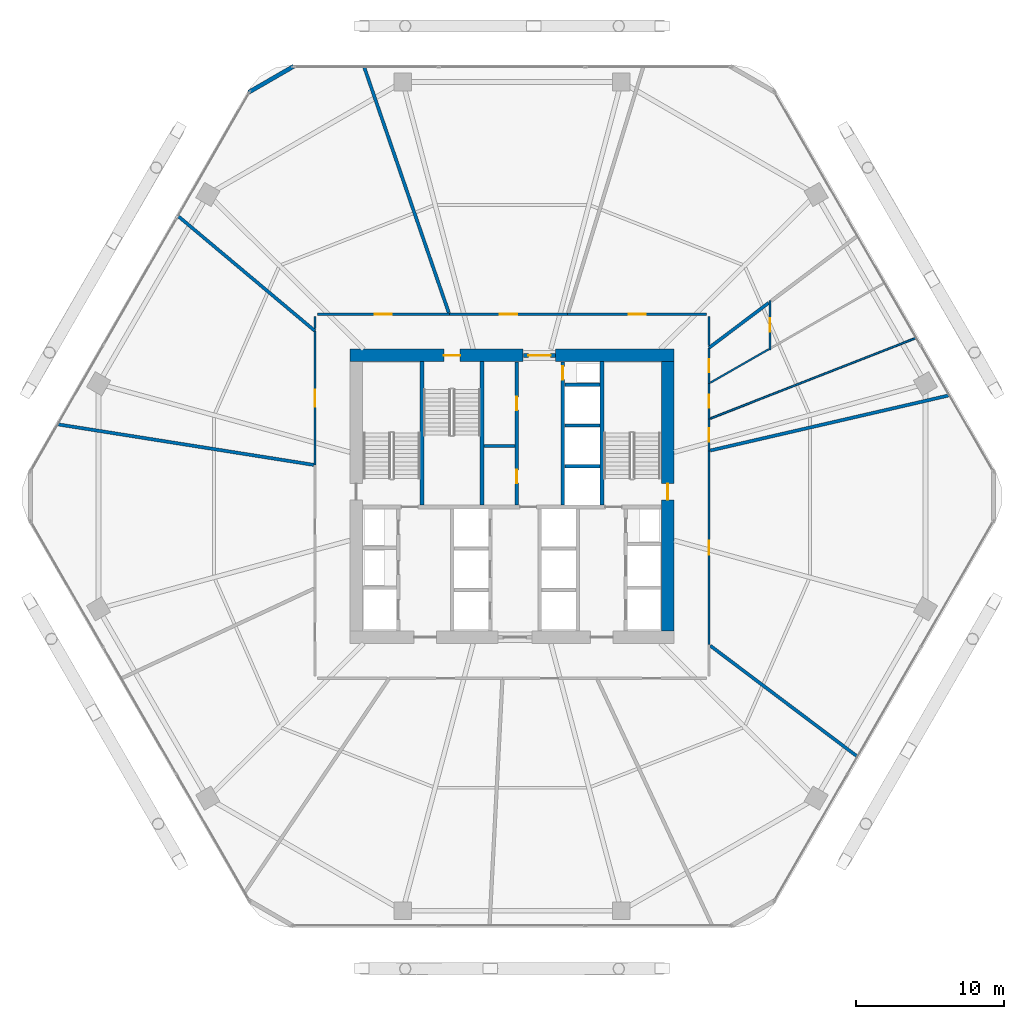
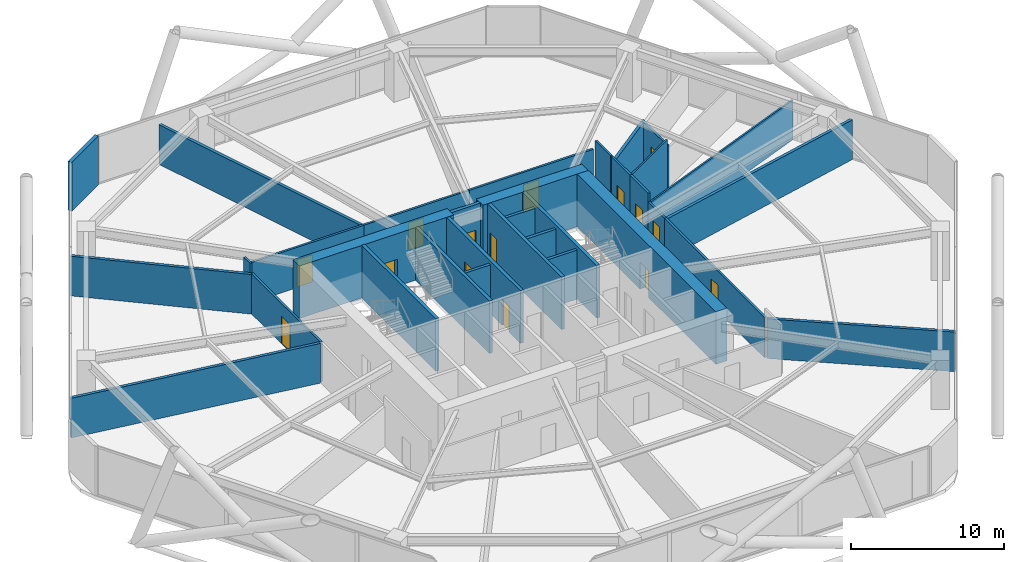
# One storey, part 27 of 29: 33 walls, 15 doors, 15 openings.
"""IFC4 building model written with IfcOpenShell, lengths in metres."""

from ifc_helpers import new_model, si_unit, direction, frame, frame_2d, origin, place, context, subcontext, project, spatial, rectangle, extrude, material, layer, layer_set, type_object, element, fill, save


model = new_model("IFC4")

# Units and contexts
model_context = context("Model", 3, precision=1e-05, world=origin(), true_north=direction((0.0, 1.0)))
body_context = subcontext(model_context, "Body", "Model", "MODEL_VIEW")
ifc_project = project(units=[si_unit("LENGTHUNIT", "METRE"), si_unit("AREAUNIT", "SQUARE_METRE"), si_unit("VOLUMEUNIT", "CUBIC_METRE"), si_unit("PLANEANGLEUNIT", "RADIAN"), si_unit("MASSUNIT", "GRAM", prefix="KILO")], contexts=[model_context])

# Site, building, storey
site_placement = place(None, origin())
site = spatial("IfcSite", under=ifc_project, at=site_placement, CompositionType="ELEMENT")
building_placement = place(site_placement, origin())
building = spatial("IfcBuilding", under=site, at=building_placement, Name="Zuhravey Tower", CompositionType="ELEMENT")
storey_placement = place(building_placement, frame((0.0, 0.0, 41.39990234375)))
storey = spatial("IfcBuildingStorey", under=building, at=storey_placement, Name="L10", CompositionType="ELEMENT", Elevation=41.39990234375)

# Wall
ifc_material_1 = material(Name="Concrete C60/75", Category="concrete")
ifc_layer_1 = layer(ifc_material_1, 0.85009765625)
ifc_layer_set_1 = layer_set([ifc_layer_1], Name="Concrete C60/75")
wall_type_1 = type_object("IfcWallType", Name="Core Shear Wall 850", PredefinedType="SHEAR", material=ifc_layer_set_1)
wall_1_placement = place(storey_placement, frame((46.925048828125, 41.5, 0.0), z_axis=(0.0, 0.0, 1.0), x_axis=(-1.0, 0.0, 0.0)))
element("IfcWall", 1, at=wall_1_placement, inside=storey, type_object=wall_type_1, Name="L10 North-East Core Shear Wall CW85", PredefinedType="SHEAR", context=body_context, shape_type="SweptSolid", body=[
    extrude(rectangle(XDim=7.97509765625, YDim=0.85009765625, at=frame_2d((3.987548828125, 0.0))), origin(), (0.0, 0.0, 1.0), 4.2001953125),
])

# Wall, opening, door
wall_2_placement = place(storey_placement, frame((36.75, 41.5, 0.0), z_axis=(0.0, 0.0, 1.0), x_axis=(-1.0, 0.0, 0.0)))
wall_2 = element("IfcWall", 2, at=wall_2_placement, inside=storey, type_object=wall_type_1, Name="L10 North-West Core Shear Wall CW85", PredefinedType="SHEAR", context=body_context, shape_type="SweptSolid", body=[
    extrude(rectangle(XDim=11.675048828125, YDim=0.85009765625, at=frame_2d((5.83740234375, 0.0))), origin(), (0.0, 0.0, 1.0), 4.2001953125),
])
opening_1_placement = place(wall_2_placement, frame((4.25, 0.0, 0.0)))
opening_1 = element("IfcOpeningElement", 3, at=opening_1_placement, cuts=wall_2, Name="Opening STD1", PredefinedType="OPENING", context=body_context, shape_type="SweptSolid", body=[
    extrude(rectangle(XDim=1.10009765625, YDim=2.14990234375, at=frame_2d((0.550048828125, 1.074951171875))), frame((0.0, 0.43701171875, 0.0), z_axis=(0.0, -1.0, 0.0), x_axis=(1.0, 0.0, 0.0)), (0.0, 0.0, 1.0), 0.8740234375),
])
ifc_material_2 = material(Name="Galvanised fire-rated steel leaf", Category="steel")
door_type_1 = type_object("IfcDoorType", Name="Protected Stair Fire Door 1100x2150", OperationType="NOTDEFINED", PredefinedType="USERDEFINED", material=ifc_material_2)
door_1_placement = place(opening_1_placement, origin())
door_1 = element("IfcDoor", 4, at=door_1_placement, inside=storey, type_object=door_type_1, Name="L10 Stair ST3 Door", ObjectType="EXITDOOR", OperationType="SINGLE_SWING_LEFT", OverallHeight=2.14990234375, OverallWidth=1.10009765625, PredefinedType="USERDEFINED", context=body_context, shape_type="SweptSolid", body=[
    extrude(rectangle(XDim=1.10009765625, YDim=2.14990234375, at=frame_2d((0.550048828125, 1.074951171875))), frame((0.0, 0.02490234375, 0.0), z_axis=(0.0, -1.0, 0.0), x_axis=(1.0, 0.0, 0.0)), (0.0, 0.0, 1.0), 0.050048828125),
])
fill(opening_1, door_1)

wall_3_placement = place(storey_placement, frame((46.5, 22.925048828125, 0.0), z_axis=(0.0, 0.0, 1.0), x_axis=(0.0, 1.0, 0.0)))
wall_3 = element("IfcWall", 5, at=wall_3_placement, inside=storey, type_object=wall_type_1, Name="L10 East Core Shear Wall CW85", PredefinedType="SHEAR", context=body_context, shape_type="SweptSolid", body=[
    extrude(rectangle(XDim=18.14990234375, YDim=0.85009765625, at=frame_2d((9.074951171875, 0.0))), origin(), (0.0, 0.0, 1.0), 4.2001953125),
])
opening_2_placement = place(wall_3_placement, frame((8.824951171875, 0.0, 0.0)))
opening_2 = element("IfcOpeningElement", 6, at=opening_2_placement, cuts=wall_3, Name="Opening STD1", PredefinedType="OPENING", context=body_context, shape_type="SweptSolid", body=[
    extrude(rectangle(XDim=1.10009765625, YDim=2.14990234375, at=frame_2d((0.550048828125, 1.074951171875))), frame((0.0, 0.43701171875, 0.0), z_axis=(0.0, -1.0, 0.0), x_axis=(1.0, 0.0, 0.0)), (0.0, 0.0, 1.0), 0.8740234375),
])
door_2_placement = place(opening_2_placement, origin())
door_2 = element("IfcDoor", 7, at=door_2_placement, inside=storey, type_object=door_type_1, Name="L10 Stair ST2 Door", ObjectType="EXITDOOR", OperationType="SINGLE_SWING_RIGHT", OverallHeight=2.14990234375, OverallWidth=1.10009765625, PredefinedType="USERDEFINED", context=body_context, shape_type="SweptSolid", body=[
    extrude(rectangle(XDim=1.10009765625, YDim=2.14990234375, at=frame_2d((0.550048828125, 1.074951171875))), frame((0.0, 0.02490234375, 0.0), z_axis=(0.0, -1.0, 0.0), x_axis=(1.0, 0.0, 0.0)), (0.0, 0.0, 1.0), 0.050048828125),
])
fill(opening_2, door_2)

ifc_material_3 = material(Name="Gypsum fire-rated stud partition")
ifc_layer_2 = layer(ifc_material_3, 0.159912109375)
ifc_layer_set_2 = layer_set([ifc_layer_2], Name="Gypsum fire-rated stud partition")
wall_type_2 = type_object("IfcWallType", Name="Corridor Fire Partition 160", PredefinedType="PARTITIONING", material=ifc_layer_set_2)
wall_4_placement = place(storey_placement, frame((49.284912109375, 35.067138671875, 0.0), z_axis=(0.0, 0.0, 1.0), x_axis=(0.0, 1.0, 0.0)))
wall_4 = element("IfcWall", 8, at=wall_4_placement, inside=storey, type_object=wall_type_2, Name="L10 IW16 Partition 019", PredefinedType="PARTITIONING", context=body_context, shape_type="SweptSolid", body=[
    extrude(rectangle(XDim=2.13916015625, YDim=0.159912109375, at=frame_2d((1.069580078125, 0.0))), origin(), (0.0, 0.0, 1.0), 3.22021484375),
])
opening_3_placement = place(wall_4_placement, frame((0.61962890625, 0.0, 0.0)))
opening_3 = element("IfcOpeningElement", 9, at=opening_3_placement, cuts=wall_4, Name="Opening RSD1", PredefinedType="OPENING", context=body_context, shape_type="SweptSolid", body=[
    extrude(rectangle(XDim=0.89990234375, YDim=2.10009765625, at=frame_2d((0.449951171875, 1.050048828125))), frame((0.0, 0.092041015625, 0.0), z_axis=(0.0, -1.0, 0.0), x_axis=(1.0, 0.0, 0.0)), (0.0, 0.0, 1.0), 0.183837890625),
])
ifc_material_4 = material(Name="Galvanised fire-rated steel access leaf", Category="steel")
door_type_2 = type_object("IfcDoorType", Name="Riser & Shaft Access Fire Door 900x2100", OperationType="NOTDEFINED", PredefinedType="DOOR", material=ifc_material_4)
door_3_placement = place(opening_3_placement, frame((0.89990234375, 0.0, 0.0), z_axis=(0.0, 0.0, 1.0), x_axis=(-1.0, 0.0, 0.0)))
door_3 = element("IfcDoor", 10, at=door_3_placement, inside=storey, type_object=door_type_2, Name="L10 Door 019.1", OperationType="SINGLE_SWING_LEFT", OverallHeight=2.10009765625, OverallWidth=0.89990234375, PredefinedType="DOOR", context=body_context, shape_type="SweptSolid", body=[
    extrude(rectangle(XDim=0.89990234375, YDim=2.10009765625, at=frame_2d((0.449951171875, 1.050048828125))), frame((0.0, 0.02490234375, 0.0), z_axis=(0.0, -1.0, 0.0), x_axis=(1.0, 0.0, 0.0)), (0.0, 0.0, 1.0), 0.050048828125),
])
fill(opening_3, door_3)

wall_5_placement = place(storey_placement, frame((49.284912109375, 37.206298828125, 0.0), z_axis=(0.0, 0.0, 1.0), x_axis=(0.0, 1.0, 0.0)))
wall_5 = element("IfcWall", 11, at=wall_5_placement, inside=storey, type_object=wall_type_2, Name="L10 IW16 Partition 020", PredefinedType="PARTITIONING", context=body_context, shape_type="SweptSolid", body=[
    extrude(rectangle(XDim=2.402099609375, YDim=0.159912109375, at=frame_2d((1.201171875, 0.0))), origin(), (0.0, 0.0, 1.0), 3.920166015625),
])
opening_4_placement = place(wall_5_placement, frame((0.751220703125, 0.0, 0.0)))
opening_4 = element("IfcOpeningElement", 12, at=opening_4_placement, cuts=wall_5, Name="Opening RSD1", PredefinedType="OPENING", context=body_context, shape_type="SweptSolid", body=[
    extrude(rectangle(XDim=0.89990234375, YDim=2.10009765625, at=frame_2d((0.449951171875, 1.050048828125))), frame((0.0, 0.092041015625, 0.0), z_axis=(0.0, -1.0, 0.0), x_axis=(1.0, 0.0, 0.0)), (0.0, 0.0, 1.0), 0.183837890625),
])
door_4_placement = place(opening_4_placement, frame((0.89990234375, 0.0, 0.0), z_axis=(0.0, 0.0, 1.0), x_axis=(-1.0, 0.0, 0.0)))
door_4 = element("IfcDoor", 13, at=door_4_placement, inside=storey, type_object=door_type_2, Name="L10 Door 020.1", OperationType="SINGLE_SWING_RIGHT", OverallHeight=2.10009765625, OverallWidth=0.89990234375, PredefinedType="DOOR", context=body_context, shape_type="SweptSolid", body=[
    extrude(rectangle(XDim=0.89990234375, YDim=2.10009765625, at=frame_2d((0.449951171875, 1.050048828125))), frame((0.0, 0.02490234375, 0.0), z_axis=(0.0, -1.0, 0.0), x_axis=(1.0, 0.0, 0.0)), (0.0, 0.0, 1.0), 0.050048828125),
])
fill(opening_4, door_4)

wall_6_placement = place(storey_placement, frame((53.405029296875, 45.2158203125, 0.0), z_axis=(0.0, 0.0, 1.0), x_axis=(0.0, -1.0, 0.0)))
wall_6 = element("IfcWall", 14, at=wall_6_placement, inside=storey, type_object=wall_type_2, Name="L10 IW16 Partition 021", PredefinedType="PARTITIONING", context=body_context, shape_type="SweptSolid", body=[
    extrude(rectangle(XDim=3.340087890625, YDim=0.159912109375, at=frame_2d((1.669921875, 0.0))), origin(), (0.0, 0.0, 1.0), 3.47021484375),
])
opening_5_placement = place(wall_6_placement, frame((1.219970703125, 0.0, 0.0)))
opening_5 = element("IfcOpeningElement", 15, at=opening_5_placement, cuts=wall_6, Name="Opening RSD1", PredefinedType="OPENING", context=body_context, shape_type="SweptSolid", body=[
    extrude(rectangle(XDim=0.89990234375, YDim=2.10009765625, at=frame_2d((0.449951171875, 1.050048828125))), frame((0.0, 0.092041015625, 0.0), z_axis=(0.0, -1.0, 0.0), x_axis=(1.0, 0.0, 0.0)), (0.0, 0.0, 1.0), 0.183837890625),
])
door_5_placement = place(opening_5_placement, origin())
door_5 = element("IfcDoor", 16, at=door_5_placement, inside=storey, type_object=door_type_2, Name="L10 Door 021.1", OperationType="SINGLE_SWING_LEFT", OverallHeight=2.10009765625, OverallWidth=0.89990234375, PredefinedType="DOOR", context=body_context, shape_type="SweptSolid", body=[
    extrude(rectangle(XDim=0.89990234375, YDim=2.10009765625, at=frame_2d((0.449951171875, 1.050048828125))), frame((0.0, 0.02490234375, 0.0), z_axis=(0.0, -1.0, 0.0), x_axis=(1.0, 0.0, 0.0)), (0.0, 0.0, 1.0), 0.050048828125),
])
fill(opening_5, door_5)

wall_7_placement = place(storey_placement, frame((49.284912109375, 39.6083984375, 0.0), z_axis=(0.0, 0.0, 1.0), x_axis=(0.0, 1.0, 0.0)))
wall_7 = element("IfcWall", 17, at=wall_7_placement, inside=storey, type_object=wall_type_2, Name="L10 IW16 Partition 022", PredefinedType="PARTITIONING", context=body_context, shape_type="SweptSolid", body=[
    extrude(rectangle(XDim=2.402587890625, YDim=0.159912109375, at=frame_2d((1.201171875, 0.0))), origin(), (0.0, 0.0, 1.0), 3.920166015625),
])
opening_6_placement = place(wall_7_placement, frame((0.751220703125, 0.0, 0.0)))
opening_6 = element("IfcOpeningElement", 18, at=opening_6_placement, cuts=wall_7, Name="Opening RSD1", PredefinedType="OPENING", context=body_context, shape_type="SweptSolid", body=[
    extrude(rectangle(XDim=0.89990234375, YDim=2.10009765625, at=frame_2d((0.449951171875, 1.050048828125))), frame((0.0, 0.092041015625, 0.0), z_axis=(0.0, -1.0, 0.0), x_axis=(1.0, 0.0, 0.0)), (0.0, 0.0, 1.0), 0.183837890625),
])
door_6_placement = place(opening_6_placement, frame((0.89990234375, 0.0, 0.0), z_axis=(0.0, 0.0, 1.0), x_axis=(-1.0, 0.0, 0.0)))
door_6 = element("IfcDoor", 19, at=door_6_placement, inside=storey, type_object=door_type_2, Name="L10 Door 022.1", OperationType="SINGLE_SWING_RIGHT", OverallHeight=2.10009765625, OverallWidth=0.89990234375, PredefinedType="DOOR", context=body_context, shape_type="SweptSolid", body=[
    extrude(rectangle(XDim=0.89990234375, YDim=2.10009765625, at=frame_2d((0.449951171875, 1.050048828125))), frame((0.0, 0.02490234375, 0.0), z_axis=(0.0, -1.0, 0.0), x_axis=(1.0, 0.0, 0.0)), (0.0, 0.0, 1.0), 0.050048828125),
])
fill(opening_6, door_6)

wall_8_placement = place(storey_placement, frame((49.125, 44.284912109375, 0.0), z_axis=(0.0, 0.0, 1.0), x_axis=(-1.0, 0.0, 0.0)))
wall_8 = element("IfcWall", 20, at=wall_8_placement, inside=storey, type_object=wall_type_2, Name="L10 IW16 Partition 023", PredefinedType="PARTITIONING", context=body_context, shape_type="SweptSolid", body=[
    extrude(rectangle(XDim=9.369140625, YDim=0.159912109375, at=frame_2d((4.6845703125, 0.0))), origin(), (0.0, 0.0, 1.0), 3.22021484375),
])
opening_7_placement = place(wall_8_placement, frame((4.109619140625, 0.0, 0.0)))
opening_7 = element("IfcOpeningElement", 21, at=opening_7_placement, cuts=wall_8, Name="Opening CLD1", PredefinedType="OPENING", context=body_context, shape_type="SweptSolid", body=[
    extrude(rectangle(XDim=1.14990234375, YDim=2.199951171875, at=frame_2d((0.574951171875, 1.10009765625))), frame((0.0, 0.092041015625, 0.0), z_axis=(0.0, -1.0, 0.0), x_axis=(1.0, 0.0, 0.0)), (0.0, 0.0, 1.0), 0.183837890625),
])
ifc_material_5 = material(Name="Acoustic timber leaf with vision lite", Category="wood")
door_type_3 = type_object("IfcDoorType", Name="Classroom Acoustic Door 1150x2200", OperationType="NOTDEFINED", PredefinedType="DOOR", material=ifc_material_5)
door_7_placement = place(opening_7_placement, frame((1.14990234375, 0.0, 0.0), z_axis=(0.0, 0.0, 1.0), x_axis=(-1.0, 0.0, 0.0)))
door_7 = element("IfcDoor", 22, at=door_7_placement, inside=storey, type_object=door_type_3, Name="L10 Door 023.1", OperationType="SINGLE_SWING_LEFT", OverallHeight=2.199951171875, OverallWidth=1.14990234375, PredefinedType="DOOR", context=body_context, shape_type="SweptSolid", body=[
    extrude(rectangle(XDim=1.14990234375, YDim=2.199951171875, at=frame_2d((0.574951171875, 1.10009765625))), frame((0.0, 0.02490234375, 0.0), z_axis=(0.0, -1.0, 0.0), x_axis=(1.0, 0.0, 0.0)), (0.0, 0.0, 1.0), 0.050048828125),
])
fill(opening_7, door_7)

wall_9_placement = place(storey_placement, frame((39.755859375, 44.284912109375, 0.0), z_axis=(0.0, 0.0, 1.0), x_axis=(-1.0, 0.0, 0.0)))
wall_9 = element("IfcWall", 23, at=wall_9_placement, inside=storey, type_object=wall_type_2, Name="L10 IW16 Partition 024", PredefinedType="PARTITIONING", context=body_context, shape_type="SweptSolid", body=[
    extrude(rectangle(XDim=7.98583984375, YDim=0.159912109375, at=frame_2d((3.992919921875, 0.0))), origin(), (0.0, 0.0, 1.0), 3.22021484375),
])
opening_8_placement = place(wall_9_placement, frame((3.41796875, 0.0, 0.0)))
opening_8 = element("IfcOpeningElement", 24, at=opening_8_placement, cuts=wall_9, Name="Opening CLD1", PredefinedType="OPENING", context=body_context, shape_type="SweptSolid", body=[
    extrude(rectangle(XDim=1.14990234375, YDim=2.199951171875, at=frame_2d((0.574951171875, 1.10009765625))), frame((0.0, 0.092041015625, 0.0), z_axis=(0.0, -1.0, 0.0), x_axis=(1.0, 0.0, 0.0)), (0.0, 0.0, 1.0), 0.183837890625),
])
door_8_placement = place(opening_8_placement, frame((1.14990234375, 0.0, 0.0), z_axis=(0.0, 0.0, 1.0), x_axis=(-1.0, 0.0, 0.0)))
door_8 = element("IfcDoor", 25, at=door_8_placement, inside=storey, type_object=door_type_3, Name="L10 Door 024.1", OperationType="SINGLE_SWING_RIGHT", OverallHeight=2.199951171875, OverallWidth=1.14990234375, PredefinedType="DOOR", context=body_context, shape_type="SweptSolid", body=[
    extrude(rectangle(XDim=1.14990234375, YDim=2.199951171875, at=frame_2d((0.574951171875, 1.10009765625))), frame((0.0, 0.02490234375, 0.0), z_axis=(0.0, -1.0, 0.0), x_axis=(1.0, 0.0, 0.0)), (0.0, 0.0, 1.0), 0.050048828125),
])
fill(opening_8, door_8)

wall_10_placement = place(storey_placement, frame((31.77001953125, 44.284912109375, 0.0), z_axis=(0.0, 0.0, 1.0), x_axis=(-1.0, 0.0, 0.0)))
wall_10 = element("IfcWall", 26, at=wall_10_placement, inside=storey, type_object=wall_type_2, Name="L10 IW16 Partition 025", PredefinedType="PARTITIONING", context=body_context, shape_type="SweptSolid", body=[
    extrude(rectangle(XDim=8.89501953125, YDim=0.159912109375, at=frame_2d((4.447509765625, 0.0))), origin(), (0.0, 0.0, 1.0), 3.22021484375),
])
opening_9_placement = place(wall_10_placement, frame((3.872314453125, 0.0, 0.0)))
opening_9 = element("IfcOpeningElement", 27, at=opening_9_placement, cuts=wall_10, Name="Opening CLD1", PredefinedType="OPENING", context=body_context, shape_type="SweptSolid", body=[
    extrude(rectangle(XDim=1.14990234375, YDim=2.199951171875, at=frame_2d((0.574951171875, 1.10009765625))), frame((0.0, 0.092041015625, 0.0), z_axis=(0.0, -1.0, 0.0), x_axis=(1.0, 0.0, 0.0)), (0.0, 0.0, 1.0), 0.183837890625),
])
door_9_placement = place(opening_9_placement, frame((1.14990234375, 0.0, 0.0), z_axis=(0.0, 0.0, 1.0), x_axis=(-1.0, 0.0, 0.0)))
door_9 = element("IfcDoor", 28, at=door_9_placement, inside=storey, type_object=door_type_3, Name="L10 Door 025.1", OperationType="SINGLE_SWING_LEFT", OverallHeight=2.199951171875, OverallWidth=1.14990234375, PredefinedType="DOOR", context=body_context, shape_type="SweptSolid", body=[
    extrude(rectangle(XDim=1.14990234375, YDim=2.199951171875, at=frame_2d((0.574951171875, 1.10009765625))), frame((0.0, 0.02490234375, 0.0), z_axis=(0.0, -1.0, 0.0), x_axis=(1.0, 0.0, 0.0)), (0.0, 0.0, 1.0), 0.050048828125),
])
fill(opening_9, door_9)

wall_11_placement = place(storey_placement, frame((22.715087890625, 43.1474609375, 0.0), z_axis=(0.0, 0.0, 1.0), x_axis=(0.0, -1.0, 0.0)))
wall_11 = element("IfcWall", 29, at=wall_11_placement, inside=storey, type_object=wall_type_2, Name="L10 IW16 Partition 026", PredefinedType="PARTITIONING", context=body_context, shape_type="SweptSolid", body=[
    extrude(rectangle(XDim=9.04345703125, YDim=0.159912109375, at=frame_2d((4.521728515625, 0.0))), origin(), (0.0, 0.0, 1.0), 3.22021484375),
])
opening_10_placement = place(wall_11_placement, frame((3.946533203125, 0.0, 0.0)))
opening_10 = element("IfcOpeningElement", 30, at=opening_10_placement, cuts=wall_11, Name="Opening CLD1", PredefinedType="OPENING", context=body_context, shape_type="SweptSolid", body=[
    extrude(rectangle(XDim=1.14990234375, YDim=2.199951171875, at=frame_2d((0.574951171875, 1.10009765625))), frame((0.0, 0.092041015625, 0.0), z_axis=(0.0, -1.0, 0.0), x_axis=(1.0, 0.0, 0.0)), (0.0, 0.0, 1.0), 0.183837890625),
])
door_10_placement = place(opening_10_placement, frame((1.14990234375, 0.0, 0.0), z_axis=(0.0, 0.0, 1.0), x_axis=(-1.0, 0.0, 0.0)))
door_10 = element("IfcDoor", 31, at=door_10_placement, inside=storey, type_object=door_type_3, Name="L10 Door 026.1", OperationType="SINGLE_SWING_RIGHT", OverallHeight=2.199951171875, OverallWidth=1.14990234375, PredefinedType="DOOR", context=body_context, shape_type="SweptSolid", body=[
    extrude(rectangle(XDim=1.14990234375, YDim=2.199951171875, at=frame_2d((0.574951171875, 1.10009765625))), frame((0.0, 0.02490234375, 0.0), z_axis=(0.0, -1.0, 0.0), x_axis=(1.0, 0.0, 0.0)), (0.0, 0.0, 1.0), 0.050048828125),
])
fill(opening_10, door_10)

wall_12_placement = place(storey_placement, frame((49.284912109375, 21.989013671875, 0.0), z_axis=(0.0, 0.0, 1.0), x_axis=(0.0, 1.0, 0.0)))
wall_12 = element("IfcWall", 32, at=wall_12_placement, inside=storey, type_object=wall_type_2, Name="L10 IW16 Partition 032", PredefinedType="PARTITIONING", context=body_context, shape_type="SweptSolid", body=[
    extrude(rectangle(XDim=13.078125, YDim=0.159912109375, at=frame_2d((6.5390625, 0.0))), origin(), (0.0, 0.0, 1.0), 3.22021484375),
])
opening_11_placement = place(wall_12_placement, frame((6.064208984375, 0.0, 0.0)))
opening_11 = element("IfcOpeningElement", 33, at=opening_11_placement, cuts=wall_12, Name="Opening IND1", PredefinedType="OPENING", context=body_context, shape_type="SweptSolid", body=[
    extrude(rectangle(XDim=0.949951171875, YDim=2.10009765625, at=frame_2d((0.47509765625, 1.050048828125))), frame((0.0, 0.092041015625, 0.0), z_axis=(0.0, -1.0, 0.0), x_axis=(1.0, 0.0, 0.0)), (0.0, 0.0, 1.0), 0.183837890625),
])
ifc_material_6 = material(Name="Painted engineered timber leaf", Category="wood")
door_type_4 = type_object("IfcDoorType", Name="Internal Room & Bedroom Door 950x2100", OperationType="NOTDEFINED", PredefinedType="DOOR", material=ifc_material_6)
door_11_placement = place(opening_11_placement, frame((0.949951171875, 0.0, 0.0), z_axis=(0.0, 0.0, 1.0), x_axis=(-1.0, 0.0, 0.0)))
door_11 = element("IfcDoor", 34, at=door_11_placement, inside=storey, type_object=door_type_4, Name="L10 Door 032.1", OperationType="SINGLE_SWING_RIGHT", OverallHeight=2.10009765625, OverallWidth=0.949951171875, PredefinedType="DOOR", context=body_context, shape_type="SweptSolid", body=[
    extrude(rectangle(XDim=0.949951171875, YDim=2.10009765625, at=frame_2d((0.47509765625, 1.050048828125))), frame((0.0, 0.02490234375, 0.0), z_axis=(0.0, -1.0, 0.0), x_axis=(1.0, 0.0, 0.0)), (0.0, 0.0, 1.0), 0.050048828125),
])
fill(opening_11, door_11)

# Walls
wall_13_placement = place(storey_placement, frame((49.284912109375, 42.15869140625, 0.0), z_axis=(0.0, 0.0, 1.0), x_axis=(0.0, 1.0, 0.0)))
element("IfcWall", 35, at=wall_13_placement, inside=storey, type_object=wall_type_2, Name="L10 IW16 Partition 048", PredefinedType="PARTITIONING", context=body_context, shape_type="SweptSolid", body=[
    extrude(rectangle(XDim=1.96630859375, YDim=0.159912109375, at=frame_2d((0.983154296875, 0.0))), origin(), (0.0, 0.0, 1.0), 3.920166015625),
])
wall_14_placement = place(storey_placement, frame((22.715087890625, 44.125, 0.0), z_axis=(0.0, 0.0, 1.0), x_axis=(0.0, -1.0, 0.0)))
element("IfcWall", 36, at=wall_14_placement, inside=storey, type_object=wall_type_2, Name="L10 IW16 Partition 051", PredefinedType="PARTITIONING", context=body_context, shape_type="SweptSolid", body=[
    extrude(rectangle(XDim=0.823486328125, YDim=0.159912109375, at=frame_2d((0.41162109375, 0.0))), origin(), (0.0, 0.0, 1.0), 3.920166015625),
])
ifc_material_7 = material(Name="Precast concrete C40/50", Category="concrete")
ifc_layer_3 = layer(ifc_material_7, 0.280029296875)
ifc_layer_set_3 = layer_set([ifc_layer_3], Name="Precast concrete C40/50")
wall_type_3 = type_object("IfcWallType", Name="Crown Architectural Wall 280", PredefinedType="SOLIDWALL", material=ifc_layer_set_3)
wall_15_placement = place(storey_placement, frame((18.23876953125, 59.24853515625, 0.0), z_axis=(0.0, 0.0, 1.0), x_axis=(0.866007452331, 0.500031091541, 0.0)))
element("IfcWall", 37, at=wall_15_placement, inside=storey, type_object=wall_type_3, Name="L10 Rounded Corner Closure Wall EW28-08", PredefinedType="SOLIDWALL", context=body_context, shape_type="SweptSolid", body=[
    extrude(rectangle(XDim=3.514892578125, YDim=0.280029296875, at=frame_2d((1.75732421875, 0.0))), origin(), (0.0, 0.0, 1.0), 3.920166015625),
])

# Wall, opening, door
ifc_material_8 = material(Name="Concrete C50/60", Category="concrete")
ifc_layer_4 = layer(ifc_material_8, 0.25)
ifc_layer_set_4 = layer_set([ifc_layer_4], Name="Concrete C50/60")
wall_type_4 = type_object("IfcWallType", Name="Firefighting Shaft & Stair Wall 250", PredefinedType="SOLIDWALL", material=ifc_layer_set_4)
wall_16_placement = place(storey_placement, frame((36.760009765625, 41.5, 0.0), z_axis=(0.0, 0.0, 1.0), x_axis=(1.0, 0.0, 0.0)))
wall_16 = element("IfcWall", 38, at=wall_16_placement, inside=storey, type_object=wall_type_4, Name="L10 FW25 Shaft Wall 002", PredefinedType="SOLIDWALL", context=body_context, shape_type="SweptSolid", body=[
    extrude(rectangle(XDim=2.179931640625, YDim=0.25, at=frame_2d((1.08984375, 0.0))), origin(), (0.0, 0.0, 1.0), 4.2001953125),
])
opening_12_placement = place(wall_16_placement, frame((0.340087890625, 0.0, 0.0)))
opening_12 = element("IfcOpeningElement", 39, at=opening_12_placement, cuts=wall_16, Name="Opening FFD1", PredefinedType="OPENING", context=body_context, shape_type="SweptSolid", body=[
    extrude(rectangle(XDim=1.5, YDim=2.14990234375, at=frame_2d((0.75, 1.074951171875))), frame((0.0, 0.136962890625, 0.0), z_axis=(0.0, -1.0, 0.0), x_axis=(1.0, 0.0, 0.0)), (0.0, 0.0, 1.0), 0.27392578125),
])
door_type_5 = type_object("IfcDoorType", Name="Firefighting Lobby Double Door 1500x2150", OperationType="DOUBLE_DOOR_SINGLE_SWING", PredefinedType="DOOR", material=ifc_material_2)
door_12_placement = place(opening_12_placement, origin())
door_12 = element("IfcDoor", 40, at=door_12_placement, inside=storey, type_object=door_type_5, Name="L10 North Lift Lobby Exit Door", OperationType="DOUBLE_DOOR_SINGLE_SWING", OverallHeight=2.14990234375, OverallWidth=1.5, PredefinedType="DOOR", context=body_context, shape_type="SweptSolid", body=[
    extrude(rectangle(XDim=1.5, YDim=2.14990234375, at=frame_2d((0.75, 1.074951171875))), frame((0.0, 0.02490234375, 0.0), z_axis=(0.0, -1.0, 0.0), x_axis=(1.0, 0.0, 0.0)), (0.0, 0.0, 1.0), 0.050048828125),
])
fill(opening_12, door_12)

# Walls
for number, where, z_axis, x_axis, name in (
    (41, (29.925048828125, 31.39990234375, 0.0), (0.0, 0.0, 1.0), (0.0, 1.0, 0.0), "L10 FW25 Shaft Wall 004"),
    (42, (33.97509765625, 31.39990234375, 0.0), (0.0, 0.0, 1.0), (0.0, 1.0, 0.0), "L10 FW25 Shaft Wall 005"),
    (43, (42.074951171875, 31.39990234375, 0.0), (0.0, 0.0, 1.0), (0.0, 1.0, 0.0), "L10 FW25 Shaft Wall 006"),
):
    element("IfcWall", number, at=place(storey_placement, frame(where, z_axis=z_axis, x_axis=x_axis)), inside=storey, type_object=wall_type_4, Name=name, PredefinedType="SOLIDWALL", context=body_context, shape_type="SweptSolid", body=[
        extrude(rectangle(XDim=9.7001953125, YDim=0.25, at=frame_2d((4.85009765625, 0.0))), origin(), (0.0, 0.0, 1.0), 4.2001953125),
    ])

# Wall, openings, doors
wall_17_placement = place(storey_placement, frame((36.324951171875, 31.39990234375, 0.0), z_axis=(0.0, 0.0, 1.0), x_axis=(0.0, 1.0, 0.0)))
wall_17 = element("IfcWall", 44, at=wall_17_placement, inside=storey, type_object=wall_type_4, Name="L10 FW25 Shaft Wall 007", PredefinedType="SOLIDWALL", context=body_context, shape_type="SweptSolid", body=[
    extrude(rectangle(XDim=9.650146484375, YDim=0.25, at=frame_2d((4.8251953125, 0.0))), origin(), (0.0, 0.0, 1.0), 4.2001953125),
])
opening_13_placement = place(wall_17_placement, frame((1.489990234375, 0.0, 0.0)))
opening_13 = element("IfcOpeningElement", 45, at=opening_13_placement, cuts=wall_17, Name="Opening RSD1", PredefinedType="OPENING", context=body_context, shape_type="SweptSolid", body=[
    extrude(rectangle(XDim=0.89990234375, YDim=2.10009765625, at=frame_2d((0.449951171875, 1.050048828125))), frame((0.0, 0.136962890625, 0.0), z_axis=(0.0, -1.0, 0.0), x_axis=(1.0, 0.0, 0.0)), (0.0, 0.0, 1.0), 0.27392578125),
])
opening_14_placement = place(wall_17_placement, frame((6.409912109375, 0.0, 0.0)))
opening_14 = element("IfcOpeningElement", 46, at=opening_14_placement, cuts=wall_17, Name="Opening RSD1", PredefinedType="OPENING", context=body_context, shape_type="SweptSolid", body=[
    extrude(rectangle(XDim=0.89990234375, YDim=2.10009765625, at=frame_2d((0.449951171875, 1.050048828125))), frame((0.0, 0.136962890625, 0.0), z_axis=(0.0, -1.0, 0.0), x_axis=(1.0, 0.0, 0.0)), (0.0, 0.0, 1.0), 0.27392578125),
])
door_13_placement = place(opening_13_placement, origin())
door_13 = element("IfcDoor", 47, at=door_13_placement, inside=storey, type_object=door_type_2, Name="L10 Core Cleaner Store Door", OperationType="SINGLE_SWING_LEFT", OverallHeight=2.10009765625, OverallWidth=0.89990234375, PredefinedType="DOOR", context=body_context, shape_type="SweptSolid", body=[
    extrude(rectangle(XDim=0.89990234375, YDim=2.10009765625, at=frame_2d((0.449951171875, 1.050048828125))), frame((0.0, 0.02490234375, 0.0), z_axis=(0.0, -1.0, 0.0), x_axis=(1.0, 0.0, 0.0)), (0.0, 0.0, 1.0), 0.050048828125),
])
fill(opening_13, door_13)
door_14_placement = place(opening_14_placement, origin())
door_14 = element("IfcDoor", 48, at=door_14_placement, inside=storey, type_object=door_type_2, Name="L10 Core Pantry and Tea Room Door", OperationType="SINGLE_SWING_RIGHT", OverallHeight=2.10009765625, OverallWidth=0.89990234375, PredefinedType="DOOR", context=body_context, shape_type="SweptSolid", body=[
    extrude(rectangle(XDim=0.89990234375, YDim=2.10009765625, at=frame_2d((0.449951171875, 1.050048828125))), frame((0.0, 0.02490234375, 0.0), z_axis=(0.0, -1.0, 0.0), x_axis=(1.0, 0.0, 0.0)), (0.0, 0.0, 1.0), 0.050048828125),
])
fill(opening_14, door_14)

# Wall, opening, door
wall_18_placement = place(storey_placement, frame((39.425048828125, 31.39990234375, 0.0), z_axis=(0.0, 0.0, 1.0), x_axis=(0.0, 1.0, 0.0)))
wall_18 = element("IfcWall", 49, at=wall_18_placement, inside=storey, type_object=wall_type_4, Name="L10 FW25 Shaft Wall 008", PredefinedType="SOLIDWALL", context=body_context, shape_type="SweptSolid", body=[
    extrude(rectangle(XDim=9.650146484375, YDim=0.25, at=frame_2d((4.8251953125, 0.0))), origin(), (0.0, 0.0, 1.0), 4.2001953125),
])
opening_15_placement = place(wall_18_placement, frame((8.469970703125, 0.0, 0.0)))
opening_15 = element("IfcOpeningElement", 50, at=opening_15_placement, cuts=wall_18, Name="Opening RSD1", PredefinedType="OPENING", context=body_context, shape_type="SweptSolid", body=[
    extrude(rectangle(XDim=0.89990234375, YDim=2.10009765625, at=frame_2d((0.449951171875, 1.050048828125))), frame((0.0, 0.136962890625, 0.0), z_axis=(0.0, -1.0, 0.0), x_axis=(1.0, 0.0, 0.0)), (0.0, 0.0, 1.0), 0.27392578125),
])
door_15_placement = place(opening_15_placement, origin())
door_15 = element("IfcDoor", 51, at=door_15_placement, inside=storey, type_object=door_type_2, Name="L10 North Riser Door", OperationType="SINGLE_SWING_LEFT", OverallHeight=2.10009765625, OverallWidth=0.89990234375, PredefinedType="DOOR", context=body_context, shape_type="SweptSolid", body=[
    extrude(rectangle(XDim=0.89990234375, YDim=2.10009765625, at=frame_2d((0.449951171875, 1.050048828125))), frame((0.0, 0.02490234375, 0.0), z_axis=(0.0, -1.0, 0.0), x_axis=(1.0, 0.0, 0.0)), (0.0, 0.0, 1.0), 0.050048828125),
])
fill(opening_15, door_15)

# Walls
ifc_material_9 = material(Name="Gypsum acoustic stud assembly")
ifc_layer_5 = layer(ifc_material_9, 0.219970703125)
ifc_layer_set_5 = layer_set([ifc_layer_5], Name="Gypsum acoustic stud assembly")
wall_type_5 = type_object("IfcWallType", Name="School Acoustic Compartment Wall 220", PredefinedType="PARTITIONING", material=ifc_layer_set_5)
wall_19_placement = place(storey_placement, frame((34.10791015625, 35.39990234375, 0.0), z_axis=(0.0, 0.0, 1.0), x_axis=(1.0, 0.0, 0.0)))
element("IfcWall", 52, at=wall_19_placement, inside=storey, type_object=wall_type_5, Name="L10 IW22 Partition 033", PredefinedType="PARTITIONING", context=body_context, shape_type="SweptSolid", body=[
    extrude(rectangle(XDim=2.083984375, YDim=0.219970703125, at=frame_2d((1.0419921875, 0.0))), origin(), (0.0, 0.0, 1.0), 3.920166015625),
])
for number, where, z_axis, x_axis, name in (
    (53, (39.55810546875, 34.02490234375, 0.0), (0.0, 0.0, 1.0), (1.0, 0.0, 0.0), "L10 IW22 Partition 034"),
    (54, (39.55810546875, 36.77490234375, 0.0), (0.0, 0.0, 1.0), (1.0, 0.0, 0.0), "L10 IW22 Partition 035"),
    (55, (39.55810546875, 39.52490234375, 0.0), (0.0, 0.0, 1.0), (1.0, 0.0, 0.0), "L10 IW22 Partition 036"),
):
    element("IfcWall", number, at=place(storey_placement, frame(where, z_axis=z_axis, x_axis=x_axis)), inside=storey, type_object=wall_type_5, Name=name, PredefinedType="PARTITIONING", context=body_context, shape_type="SweptSolid", body=[
        extrude(rectangle(XDim=2.3837890625, YDim=0.219970703125, at=frame_2d((1.19189453125, 0.0))), origin(), (0.0, 0.0, 1.0), 3.920166015625),
    ])
wall_20_placement = place(storey_placement, frame((49.373046875, 35.08740234375, 0.0), z_axis=(0.0, 0.0, 1.0), x_axis=(0.974368575461, 0.224957505217, 0.0)))
element("IfcWall", 56, at=wall_20_placement, inside=storey, type_object=wall_type_5, Name="L10 IW22 Partition 041", PredefinedType="PARTITIONING", context=body_context, shape_type="SweptSolid", body=[
    extrude(rectangle(XDim=16.556884765625, YDim=0.219970703125, at=frame_2d((8.2783203125, 0.0))), origin(), (0.0, 0.0, 1.0), 3.170166015625),
])
wall_21_placement = place(storey_placement, frame((49.284912109375, 42.010986328125, 0.0), z_axis=(0.0, 0.0, 1.0), x_axis=(0.798634234908, 0.601816715315, 0.0)))
element("IfcWall", 57, at=wall_21_placement, inside=storey, type_object=wall_type_5, Name="L10 IW22 Partition 045", PredefinedType="PARTITIONING", context=body_context, shape_type="SweptSolid", body=[
    extrude(rectangle(XDim=5.048583984375, YDim=0.219970703125, at=frame_2d((2.5244140625, 0.0))), origin(), (0.0, 0.0, 1.0), 3.47021484375),
])
wall_22_placement = place(storey_placement, frame((31.739501953125, 44.373046875, 0.0), z_axis=(0.0, 0.0, 1.0), x_axis=(-0.325561284918, 0.945520940943, 0.0)))
element("IfcWall", 58, at=wall_22_placement, inside=storey, type_object=wall_type_5, Name="L10 IW22 Partition 049", PredefinedType="PARTITIONING", context=body_context, shape_type="SweptSolid", body=[
    extrude(rectangle(XDim=17.541015625, YDim=0.219970703125, at=frame_2d((8.7705078125, 0.0))), origin(), (0.0, 0.0, 1.0), 3.170166015625),
])
wall_23_placement = place(storey_placement, frame((22.715087890625, 43.1474609375, 0.0), z_axis=(0.0, 0.0, 1.0), x_axis=(-0.766043656225, 0.642788547469, 0.0)))
element("IfcWall", 59, at=wall_23_placement, inside=storey, type_object=wall_type_5, Name="L10 IW22 Partition 050", PredefinedType="PARTITIONING", context=body_context, shape_type="SweptSolid", body=[
    extrude(rectangle(XDim=12.06298828125, YDim=0.219970703125, at=frame_2d((6.031494140625, 0.0))), origin(), (0.0, 0.0, 1.0), 3.170166015625),
])
wall_24_placement = place(storey_placement, frame((22.626953125, 34.1181640625, 0.0), z_axis=(0.0, 0.0, 1.0), x_axis=(-0.987689809262, 0.156425191961, 0.0)))
element("IfcWall", 60, at=wall_24_placement, inside=storey, type_object=wall_type_5, Name="L10 IW22 Partition 052", PredefinedType="PARTITIONING", context=body_context, shape_type="SweptSolid", body=[
    extrude(rectangle(XDim=17.478759765625, YDim=0.219970703125, at=frame_2d((8.7392578125, 0.0))), origin(), (0.0, 0.0, 1.0), 3.170166015625),
])
wall_25_placement = place(storey_placement, frame((49.373046875, 21.922607421875, 0.0), z_axis=(0.0, 0.0, 1.0), x_axis=(0.798630996951, -0.601821012187, 0.0)))
element("IfcWall", 61, at=wall_25_placement, inside=storey, type_object=wall_type_5, Name="L10 IW22 Partition 059", PredefinedType="PARTITIONING", context=body_context, shape_type="SweptSolid", body=[
    extrude(rectangle(XDim=12.430908203125, YDim=0.219970703125, at=frame_2d((6.21533203125, 0.0))), origin(), (0.0, 0.0, 1.0), 3.170166015625),
])
ifc_material_10 = material(Name="Gypsum metal-stud partition")
ifc_layer_6 = layer(ifc_material_10, 0.1201171875)
ifc_layer_set_6 = layer_set([ifc_layer_6], Name="Gypsum metal-stud partition")
wall_type_6 = type_object("IfcWallType", Name="Unit Internal Partition 120", PredefinedType="PARTITIONING", material=ifc_layer_set_6)
wall_26_placement = place(storey_placement, frame((49.373046875, 37.24072265625, 0.0), z_axis=(0.0, 0.0, 1.0), x_axis=(0.931056574404, 0.364874848761, 0.0)))
element("IfcWall", 62, at=wall_26_placement, inside=storey, type_object=wall_type_6, Name="L10 IW12 Partition 042", PredefinedType="PARTITIONING", context=body_context, shape_type="SweptSolid", body=[
    extrude(rectangle(XDim=14.924560546875, YDim=0.1201171875, at=frame_2d((7.46240234375, 0.0))), origin(), (0.0, 0.0, 1.0), 3.170166015625),
])
wall_27_placement = place(storey_placement, frame((49.373046875, 39.65869140625, 0.0), z_axis=(0.0, 0.0, 1.0), x_axis=(0.867753476972, 0.496994872412, 0.0)))
element("IfcWall", 63, at=wall_27_placement, inside=storey, type_object=wall_type_6, Name="L10 IW12 Partition 043", PredefinedType="PARTITIONING", context=body_context, shape_type="SweptSolid", body=[
    extrude(rectangle(XDim=4.544921875, YDim=0.1201171875, at=frame_2d((2.2724609375, 0.0))), origin(), (0.0, 0.0, 1.0), 3.920166015625),
])

save(model, "model.ifc")
